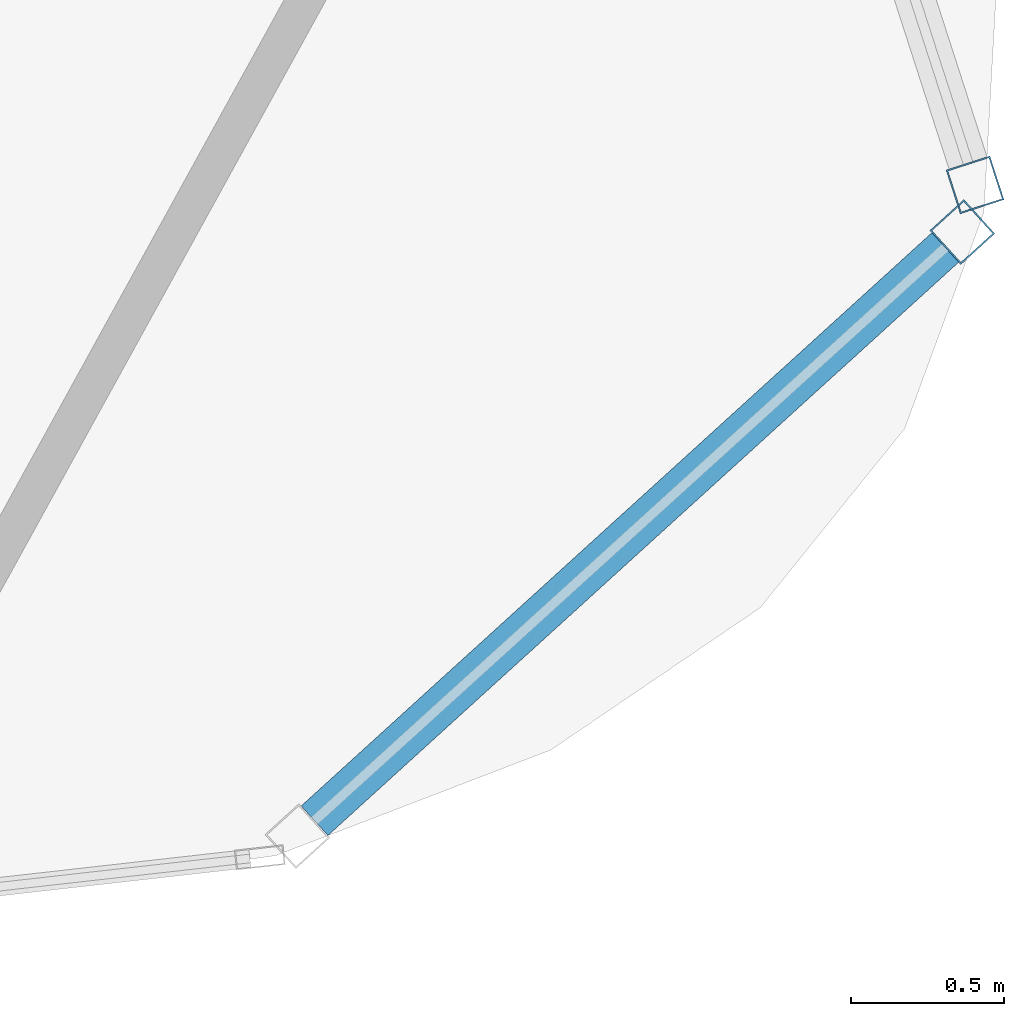
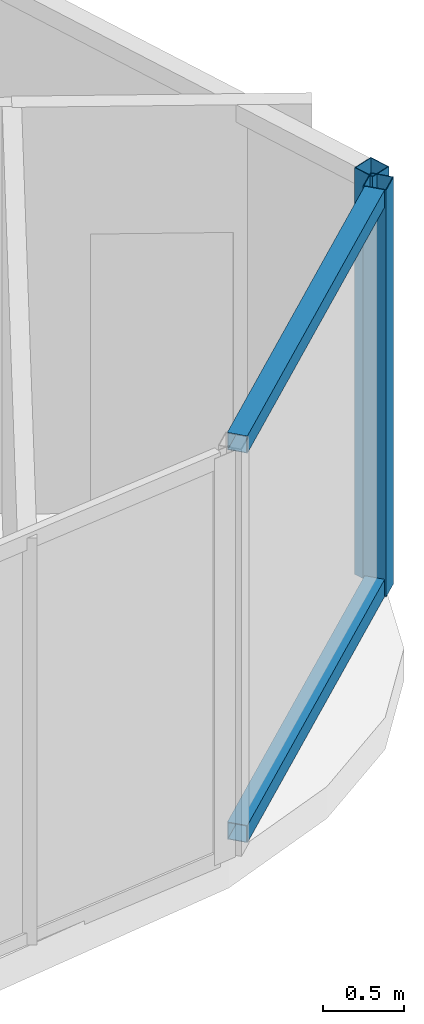
# One storey, part 16 of 33: 4 members, 2 elements without a shape of their own.
"""IFC4 building model written with IfcOpenShell, lengths in metres."""

from ifc_helpers import new_model, si_unit, direction, frame, origin, origin_2d, place, context, subcontext, project, spatial, hollow_rectangle, extrude, material, layer, layer_set, material_profile, profile_set, type_object, element, aggregate, save


model = new_model("IFC4")

# Units and contexts
model_context = context("Model", 3, precision=1e-05, world=origin(), true_north=direction((0.0, 1.0)))
body_context = subcontext(model_context, "Body", "Model", "MODEL_VIEW")
ifc_project = project(units=[si_unit("LENGTHUNIT", "METRE"), si_unit("AREAUNIT", "SQUARE_METRE"), si_unit("VOLUMEUNIT", "CUBIC_METRE"), si_unit("PLANEANGLEUNIT", "RADIAN"), si_unit("MASSUNIT", "GRAM", prefix="KILO")], contexts=[model_context])

# Site, building, storey
site_placement = place(None, origin())
site = spatial("IfcSite", under=ifc_project, at=site_placement, CompositionType="ELEMENT")
building_placement = place(site_placement, origin())
building = spatial("IfcBuilding", under=site, at=building_placement, Name="Orvanel Arch Residences", CompositionType="ELEMENT")
storey_placement = place(building_placement, frame((0.0, 0.0, 212.89990234375)))
storey = spatial("IfcBuildingStorey", under=building, at=storey_placement, Name="L60", CompositionType="ELEMENT", Elevation=212.89990234375)

# Curtain wall, member
ifc_material = material(Name="Bronze-anodised aluminium AA6063-T6", Category="aluminium")
ifc_layer = layer(ifc_material, 0.18994140625)
ifc_layer_set = layer_set([ifc_layer], Name="Bronze-anodised aluminium AA6063-T6")
curtain_wall_type = type_object("IfcCurtainWallType", Name="CW5-CRN-SYS", PredefinedType="NOTDEFINED", material=ifc_layer_set)
curtain_wall_1_placement = place(storey_placement, origin())
curtain_wall_1 = element("IfcCurtainWall", 1, at=curtain_wall_1_placement, inside=storey, type_object=curtain_wall_type, Name="L60 CW5-CRN-SYS Unitised Curtain Wall", PredefinedType="NOTDEFINED")
ifc_material_profile_1 = material_profile(ifc_material, hollow_rectangle(XDim=0.14990234375, YDim=0.14990234375, WallThickness=0.0048828125, at=origin_2d()), Name="ALU150x150x5")
ifc_profile_set_1 = profile_set([ifc_material_profile_1], Name="Bronze-anodised aluminium AA6063-T6")
member_type_1 = type_object("IfcMemberType", Name="MUL-150x150", PredefinedType="MULLION", material=ifc_profile_set_1)
member_1_placement = place(storey_placement, frame((56.305419921875, 8.5205078125, 0.0), z_axis=(0.0, 0.0, 1.0), x_axis=(-0.672511070676, 0.740087062323, 0.0)))
member_1 = element("IfcMember", 2, at=member_1_placement, type_object=member_type_1, Name="CW-S5 mullion 2", PredefinedType="MULLION", context=body_context, shape_type="SweptSolid", body=[
    extrude(hollow_rectangle(XDim=0.14990234375, YDim=0.14990234375, WallThickness=0.0048828125, at=origin_2d()), origin(), (0.0, 0.0, 1.0), 3.06005859375),
])

curtain_wall_2_placement = place(storey_placement, origin())
curtain_wall_2 = element("IfcCurtainWall", 3, at=curtain_wall_2_placement, inside=storey, type_object=curtain_wall_type, Name="L60 CW5-CRN-SYS Unitised Curtain Wall", PredefinedType="NOTDEFINED")
member_2_placement = place(storey_placement, frame((56.346923828125, 8.67431640625, 0.0), z_axis=(0.0, 0.0, 1.0), x_axis=(-0.951553342182, -0.307483718239, 0.0)))
member_2 = element("IfcMember", 4, at=member_2_placement, type_object=member_type_1, Name="CW-S5 mullion 1", PredefinedType="MULLION", context=body_context, shape_type="SweptSolid", body=[
    extrude(hollow_rectangle(XDim=0.14990234375, YDim=0.14990234375, WallThickness=0.0048828125, at=origin_2d()), origin(), (0.0, 0.0, 1.0), 3.06005859375),
])
aggregate(curtain_wall_2, [member_2])

# Member
ifc_material_profile_2 = material_profile(ifc_material, hollow_rectangle(XDim=0.1298828125, YDim=0.1298828125, WallThickness=0.00439453125, at=origin_2d()), Name="ALU130x130x4.5")
ifc_profile_set_2 = profile_set([ifc_material_profile_2], Name="Bronze-anodised aluminium AA6063-T6")
member_type_2 = type_object("IfcMemberType", Name="TRN-130x130", PredefinedType="USERDEFINED", material=ifc_profile_set_2)
member_3_placement = place(storey_placement, frame((54.194091796875, 6.601806640625, 0.065185546875), z_axis=(0.74004743012, 0.672554682663, 0.0), x_axis=(-0.672554682663, 0.74004743012, 0.0)))
member_3 = element("IfcMember", 5, at=member_3_placement, type_object=member_type_2, Name="CW-S5 transom 1.1", ObjectType="TRANSOM", PredefinedType="USERDEFINED", context=body_context, shape_type="SweptSolid", body=[
    extrude(hollow_rectangle(XDim=0.1298828125, YDim=0.1298828125, WallThickness=0.00439453125, at=origin_2d()), origin(), (0.0, 0.0, 1.0), 2.778076171875),
])

member_4_placement = place(storey_placement, frame((54.194091796875, 6.601806640625, 2.9951171875), z_axis=(0.74004743012, 0.672554682663, 0.0), x_axis=(-0.672554682663, 0.74004743012, 0.0)))
member_4 = element("IfcMember", 6, at=member_4_placement, type_object=member_type_2, Name="CW-S5 transom 1.2", ObjectType="TRANSOM", PredefinedType="USERDEFINED", context=body_context, shape_type="SweptSolid", body=[
    extrude(hollow_rectangle(XDim=0.1298828125, YDim=0.1298828125, WallThickness=0.00439453125, at=origin_2d()), origin(), (0.0, 0.0, 1.0), 2.778076171875),
])

aggregate(curtain_wall_1, [member_1, member_3, member_4])

save(model, "model.ifc")
